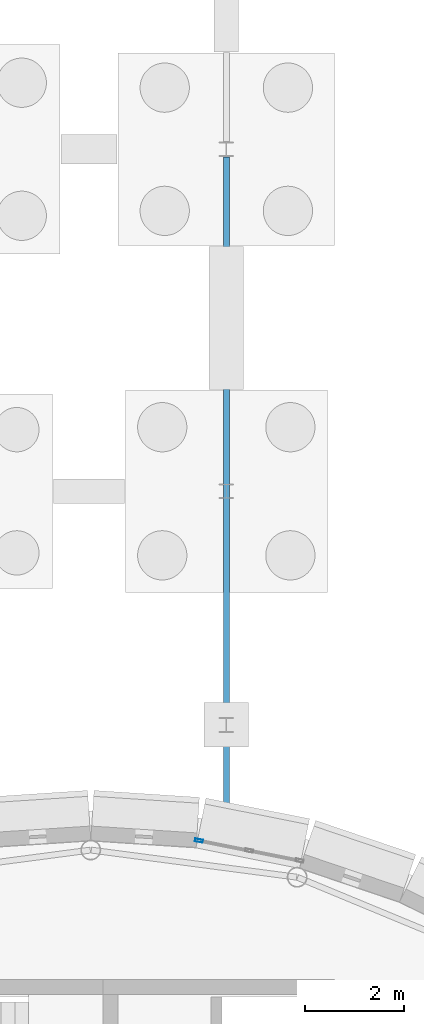
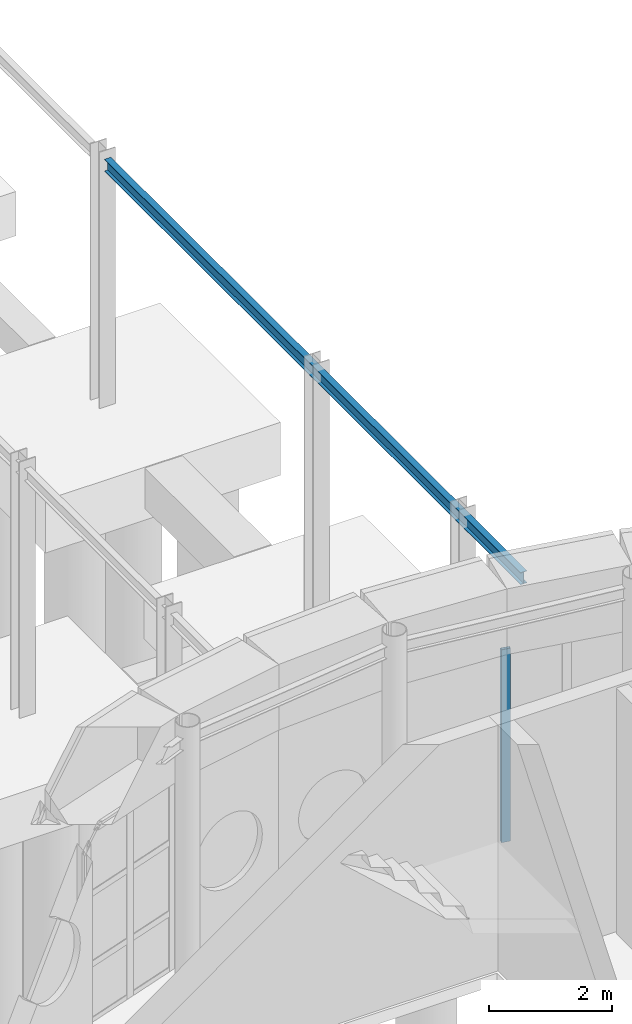
# One storey, part 44 of 109: 1 beam, 1 member, 1 element without a shape of its own.
"""IFC4 building model written with IfcOpenShell, lengths in metres."""

import ifcopenshell
import ifcopenshell.guid

model = None  # the IFC model being written
_history = None  # IfcOwnerHistory: only IFC2X3 demands one
_inside = {}  # id of a spatial element -> (the spatial element, [elements in it])
_under = {}  # id of a project, library or spatial element -> (it, [spatial elements below it])
_declared = {}  # id of a project -> (the project, [libraries it declares])
_typed = {}  # id of a type object -> (the type object, [elements of that type])
_made_of = {}  # id of a material, layer set ... -> (it, [elements and type objects made of it])


def new_model(schema):
    """Start an empty IFC model of exactly this schema.

    Asked for "IFC4X3", IfcOpenShell would pick the latest addendum, in which some entities
    have other attributes; the version numbers below select the first issue.
    IFC2X3 requires an IfcOwnerHistory on every rooted entity: one is made here for all.
    """
    global model, _history
    if schema == "IFC4X3":
        model = ifcopenshell.file(schema_version=(4, 3, 0, 0))
    else:
        model = ifcopenshell.file(schema=schema)
    _inside.clear()
    _under.clear()
    _declared.clear()
    _typed.clear()
    _made_of.clear()
    _history = None
    if model.schema == "IFC2X3":
        org = make("IfcOrganization", Name="unknown")
        user = make(
            "IfcPersonAndOrganization",
            ThePerson=make("IfcPerson", FamilyName="unknown"),
            TheOrganization=org,
        )
        app = make(
            "IfcApplication",
            ApplicationDeveloper=org,
            Version="unknown",
            ApplicationFullName="unknown",
            ApplicationIdentifier="unknown",
        )
        _history = make(
            "IfcOwnerHistory",
            OwningUser=user,
            OwningApplication=app,
            ChangeAction="ADDED",
            CreationDate=0,
        )
    return model


def make(cls, **values):
    """One entity of the class cls with the attributes given. An attribute that is None is left unset."""
    return model.create_entity(
        cls, **{name: value for name, value in values.items() if value is not None}
    )


def rooted(cls, **values):
    """An entity with a GlobalId (a new one), such as an element, a storey or a relation."""
    return make(cls, GlobalId=ifcopenshell.guid.new(), OwnerHistory=_history, **values)


def si_unit(unit_type, name, prefix=None):
    """IfcSIUnit, for example si_unit("LENGTHUNIT", "METRE", prefix="MILLI")."""
    return make("IfcSIUnit", UnitType=unit_type, Prefix=prefix, Name=name)


def assignment(units):
    """IfcUnitAssignment: the units of a project."""
    return None if units is None else make("IfcUnitAssignment", Units=units)


def point(xyz):
    """IfcCartesianPoint."""
    return None if xyz is None else make("IfcCartesianPoint", Coordinates=xyz)


def direction(xyz):
    """IfcDirection."""
    return None if xyz is None else make("IfcDirection", DirectionRatios=xyz)


def frame(location, z_axis=None, x_axis=None):
    """IfcAxis2Placement3D, a coordinate frame: its origin and axes. An axis left out is left unset."""
    return make(
        "IfcAxis2Placement3D",
        Location=point(location),
        Axis=direction(z_axis),
        RefDirection=direction(x_axis),
    )


def frame_2d(location, x_axis=None):
    """IfcAxis2Placement2D, a coordinate frame in the plane: its origin and x axis."""
    return make(
        "IfcAxis2Placement2D", Location=point(location), RefDirection=direction(x_axis)
    )


def origin():
    """The frame at (0, 0, 0) with its axes left unset."""
    return frame((0.0, 0.0, 0.0))


def origin_2d():
    """The frame at (0, 0) in the plane with its x axis left unset."""
    return frame_2d((0.0, 0.0))


def place(relative_to, where):
    """IfcLocalPlacement: puts the frame where relative to a parent placement (None: the world)."""
    return make(
        "IfcLocalPlacement", PlacementRelTo=relative_to, RelativePlacement=where
    )


def context(
    kind, dimensions, precision=None, world=None, true_north=None, identifier=None
):
    """IfcGeometricRepresentationContext, for example the 3D "Model" context."""
    return make(
        "IfcGeometricRepresentationContext",
        ContextIdentifier=identifier,
        ContextType=kind,
        CoordinateSpaceDimension=dimensions,
        Precision=precision,
        WorldCoordinateSystem=world,
        TrueNorth=true_north,
    )


def subcontext(parent, identifier, kind, view, scale=None):
    """IfcGeometricRepresentationSubContext, for example "Body" below "Model"."""
    return make(
        "IfcGeometricRepresentationSubContext",
        ContextIdentifier=identifier,
        ContextType=kind,
        ParentContext=parent,
        TargetScale=scale,
        TargetView=view,
    )


def project(units=None, contexts=None):
    """IfcProject with its units and contexts."""
    return rooted(
        "IfcProject",
        Name="project",
        RepresentationContexts=contexts,
        UnitsInContext=assignment(units),
    )


def spatial(cls, under=None, at=None, **own):
    """A site, building, storey or space (cls), placed at a placement, below another one or the project."""
    s = rooted(cls, ObjectPlacement=at, **own)
    if under is not None:
        _under.setdefault(under.id(), (under, []))[1].append(s)
    return s


def profile(cls, at=None, kind="AREA", **sizes):
    """A parametric profile (cls). Its sizes go by their IFC names, for example OverallWidth=200.0."""
    return make(cls, ProfileType=kind, Position=at, **sizes)


def hollow_rectangle(**sizes):
    """IfcRectangleHollowProfileDef."""
    return profile("IfcRectangleHollowProfileDef", **sizes)


def i_section(**sizes):
    """IfcIShapeProfileDef."""
    return profile("IfcIShapeProfileDef", **sizes)


def extrude(swept, where, along, depth):
    """IfcExtrudedAreaSolid: the profile swept, set in the frame where, extruded along a direction by depth."""
    return make(
        "IfcExtrudedAreaSolid",
        SweptArea=swept,
        Position=where,
        ExtrudedDirection=direction(along),
        Depth=depth,
    )


def shape(context_of_items, identifier, shape_type, items):
    """IfcShapeRepresentation: the items that make up one representation, for example the "Body"."""
    return make(
        "IfcShapeRepresentation",
        ContextOfItems=context_of_items,
        RepresentationIdentifier=identifier,
        RepresentationType=shape_type,
        Items=items,
    )


def material(Name=None, Category=None):
    """IfcMaterial."""
    return make("IfcMaterial", Name=Name, Category=Category)


def layer(
    of_material, thickness, ventilated=None, Name=None, Category=None, Priority=None
):
    """IfcMaterialLayer: one layer of a wall or slab, of a material (None: an air gap)."""
    return make(
        "IfcMaterialLayer",
        Material=of_material,
        LayerThickness=thickness,
        IsVentilated=ventilated,
        Name=Name,
        Category=Category,
        Priority=Priority,
    )


def layer_set(layers, Name=None):
    """IfcMaterialLayerSet."""
    return make("IfcMaterialLayerSet", MaterialLayers=layers, LayerSetName=Name)


def material_profile(
    of_material, cross_section, Name=None, Category=None, Priority=None
):
    """IfcMaterialProfile: a cross section and its material."""
    return make(
        "IfcMaterialProfile",
        Name=Name,
        Material=of_material,
        Profile=cross_section,
        Priority=Priority,
        Category=Category,
    )


def profile_set(profiles, Name=None, composite=None):
    """IfcMaterialProfileSet."""
    return make(
        "IfcMaterialProfileSet",
        Name=Name,
        MaterialProfiles=profiles,
        CompositeProfile=composite,
    )


def made_of(thing, what):
    """Note that an element or type object is made of a material, layer set ...; save() writes the relation."""
    if what is not None:
        _made_of.setdefault(what.id(), (what, []))[1].append(thing)
    return thing


def type_object(cls, material=None, **own):
    """A type object (cls), such as IfcWallType, which elements share."""
    return made_of(rooted(cls, **own), material)


def element(
    cls,
    number,
    at=None,
    inside=None,
    cuts=None,
    type_object=None,
    material=None,
    context=None,
    identifier="Body",
    shape_type=None,
    held_by="IfcProductDefinitionShape",
    body=None,
    shapes=None,
    **own,
):
    """One element of the class cls, such as IfcWall. Its Tag is "e" and its number.

    at: its placement. inside: the storey or other place that contains it. cuts: it is an
    opening in that element (IfcRelVoidsElement). A single representation is given by context,
    identifier, shape_type and body (its items); several are given by shapes. held_by: the class
    of the entity that holds the representations. save() writes the other relations.
    """
    e = rooted(cls, Tag="e%d" % number, ObjectPlacement=at, **own)
    if body is not None:
        shapes = [shape(context, identifier, shape_type, body)]
    if shapes is not None:
        e.Representation = make(held_by, Representations=shapes)
    if inside is not None:
        _inside.setdefault(inside.id(), (inside, []))[1].append(e)
    if cuts is not None:
        rooted(
            "IfcRelVoidsElement", RelatingBuildingElement=cuts, RelatedOpeningElement=e
        )
    if type_object is not None:
        _typed.setdefault(type_object.id(), (type_object, []))[1].append(e)
    return made_of(e, material)


def aggregate(whole, parts):
    """IfcRelAggregates: a whole, such as a stair, and the parts it consists of."""
    return rooted("IfcRelAggregates", RelatingObject=whole, RelatedObjects=parts)


def save(model, path):
    """Write the relations noted so far, then the file.

    IfcRelAggregates (storeys below a building ...), IfcRelContainedInSpatialStructure (elements
    in a storey), IfcRelDefinesByType, IfcRelAssociatesMaterial and IfcRelDeclares: one each for
    every whole, place, type object, material and project.
    """
    for whole, parts in _under.values():
        aggregate(whole, parts)
    for where, things in _inside.values():
        rooted(
            "IfcRelContainedInSpatialStructure",
            RelatedElements=things,
            RelatingStructure=where,
        )
    for kind, things in _typed.values():
        rooted("IfcRelDefinesByType", RelatedObjects=things, RelatingType=kind)
    for what, things in _made_of.values():
        rooted("IfcRelAssociatesMaterial", RelatedObjects=things, RelatingMaterial=what)
    for by, libraries in _declared.values():
        rooted("IfcRelDeclares", RelatingContext=by, RelatedDefinitions=libraries)
    model.write(path)


model = new_model("IFC4")

# Units and contexts
model_context = context("Model", 3, precision=1e-05, world=origin(), true_north=direction((0.0, 1.0)))
body_context = subcontext(model_context, "Body", "Model", "MODEL_VIEW")
ifc_project = project(units=[si_unit("LENGTHUNIT", "METRE"), si_unit("AREAUNIT", "SQUARE_METRE"), si_unit("VOLUMEUNIT", "CUBIC_METRE"), si_unit("PLANEANGLEUNIT", "RADIAN"), si_unit("MASSUNIT", "GRAM", prefix="KILO")], contexts=[model_context])

# Site, building, storey
site_placement = place(None, origin())
site = spatial("IfcSite", under=ifc_project, at=site_placement, CompositionType="ELEMENT")
building_placement = place(site_placement, origin())
building = spatial("IfcBuilding", under=site, at=building_placement, Name="Montecoro Central Library", CompositionType="ELEMENT")
storey_placement = place(building_placement, origin())
storey = spatial("IfcBuildingStorey", under=building, at=storey_placement, Name="L00", CompositionType="ELEMENT", Elevation=0.0)

# Beam
ifc_material_1 = material(Name="Steel S355", Category="steel")
ifc_material_profile_1 = material_profile(ifc_material_1, i_section(OverallWidth=0.1201171875, OverallDepth=0.239990234375, WebThickness=0.006103515625, FlangeThickness=0.009765625, at=origin_2d()), Name="IPE 240")
ifc_profile_set_1 = profile_set([ifc_material_profile_1], Name="Steel S355")
beam_type = type_object("IfcBeamType", Name="BM-SP-IPE240", PredefinedType="SPANDREL", material=ifc_profile_set_1)
beam_placement = place(storey_placement, frame((94.35009765625, 52.139892578125, 4.794921875), z_axis=(0.0, 1.0, 0.0), x_axis=(-1.0, 0.0, 0.0)))
element("IfcBeam", 1, at=beam_placement, inside=storey, type_object=beam_type, Name="BR-N-L01-BM-E1", PredefinedType="SPANDREL", context=body_context, shape_type="SweptSolid", body=[
    extrude(i_section(OverallWidth=0.1201171875, OverallDepth=0.239990234375, WebThickness=0.006103515625, FlangeThickness=0.009765625, at=origin_2d()), origin(), (0.0, 0.0, 1.0), 13.5),
])

# Curtain wall, member
ifc_material_2 = material(Name="Bronze-anodised aluminium and low-E glazing", Category="aluminium")
ifc_layer = layer(ifc_material_2, 0.159912109375)
ifc_layer_set = layer_set([ifc_layer], Name="Bronze-anodised aluminium and low-E glazing")
curtain_wall_type = type_object("IfcCurtainWallType", Name="CWT-002", PredefinedType="NOTDEFINED", material=ifc_layer_set)
curtain_wall_placement = place(storey_placement, origin())
curtain_wall = element("IfcCurtainWall", 2, at=curtain_wall_placement, inside=storey, type_object=curtain_wall_type, Name="V1-L00-CW-11", PredefinedType="NOTDEFINED")
ifc_material_3 = material(Name="Bronze-anodised aluminium", Category="aluminium")
ifc_material_profile_2 = material_profile(ifc_material_3, hollow_rectangle(XDim=0.06005859375, YDim=0.159912109375, WallThickness=0.00390625, at=origin_2d()), Name="CWM 160x60x4.0")
ifc_profile_set_2 = profile_set([ifc_material_profile_2], Name="Bronze-anodised aluminium")
member_type = type_object("IfcMemberType", Name="CWM-BRZ-60", PredefinedType="MULLION", material=ifc_profile_set_2)
member_placement = place(storey_placement, frame((93.79345703125, 51.771240234375, 0.0), z_axis=(0.0, 0.0, 1.0), x_axis=(-0.194860889637, -0.980830889445, 0.0)))
member = element("IfcMember", 3, at=member_placement, type_object=member_type, Name="CW-002 mullion 3", PredefinedType="MULLION", context=body_context, shape_type="SweptSolid", body=[
    extrude(hollow_rectangle(XDim=0.06005859375, YDim=0.159912109375, WallThickness=0.00390625, at=origin_2d()), origin(), (0.0, 0.0, 1.0), 3.820068359375),
])
aggregate(curtain_wall, [member])

save(model, "model.ifc")
